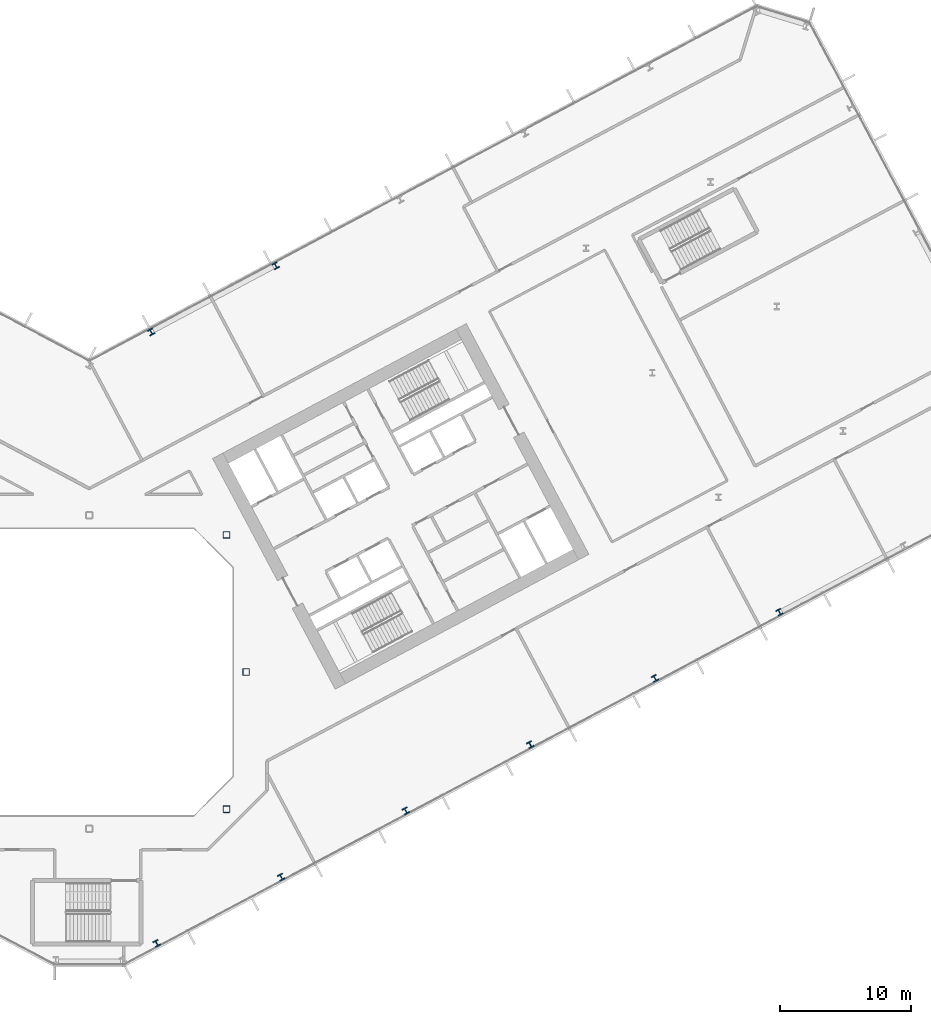
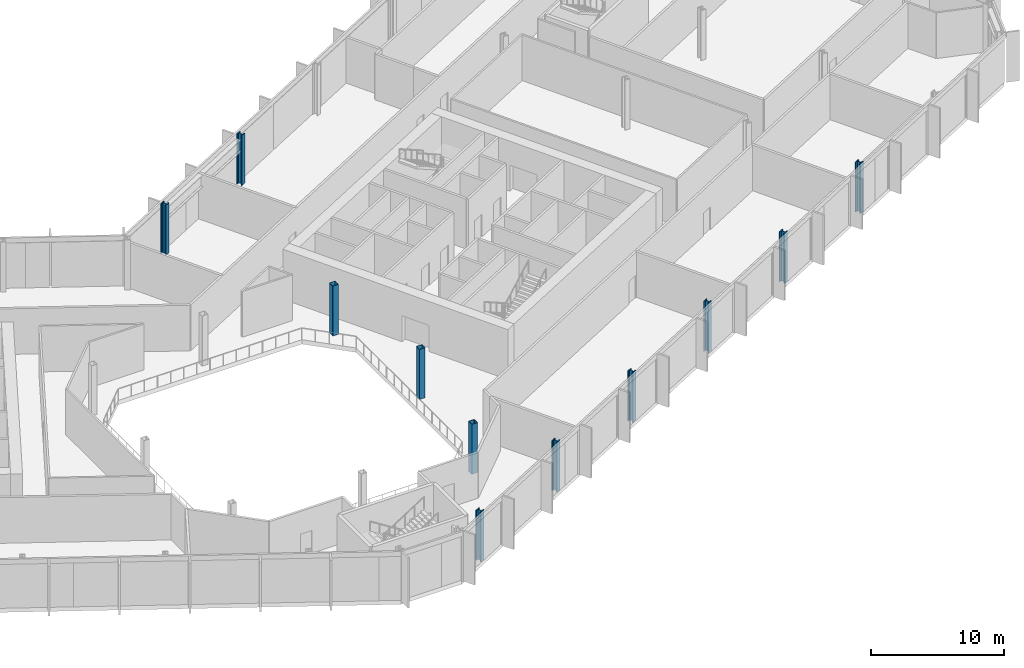
# One storey, part 3 of 32: 11 columns.
"""IFC4 building model written with IfcOpenShell, lengths in metres."""

from ifc_helpers import new_model, si_unit, direction, frame, origin, origin_2d, place, context, subcontext, project, spatial, hollow_rectangle, i_section, extrude, material, material_profile, profile_set, type_object, element, save


model = new_model("IFC4")

# Units and contexts
model_context = context("Model", 3, precision=1e-05, world=origin(), true_north=direction((0.0, 1.0)))
body_context = subcontext(model_context, "Body", "Model", "MODEL_VIEW")
ifc_project = project(units=[si_unit("LENGTHUNIT", "METRE"), si_unit("AREAUNIT", "SQUARE_METRE"), si_unit("VOLUMEUNIT", "CUBIC_METRE"), si_unit("PLANEANGLEUNIT", "RADIAN"), si_unit("MASSUNIT", "GRAM", prefix="KILO")], contexts=[model_context])

# Site, building, storey
site_placement = place(None, origin())
site = spatial("IfcSite", under=ifc_project, at=site_placement, CompositionType="ELEMENT")
building_placement = place(site_placement, origin())
building = spatial("IfcBuilding", under=site, at=building_placement, Name="Cormorant Relay Tower", CompositionType="ELEMENT")
storey_placement = place(building_placement, frame((0.0, 0.0, 70.800048828125)))
storey = spatial("IfcBuildingStorey", under=building, at=storey_placement, Name="L13", CompositionType="ELEMENT", Elevation=70.800048828125)

# Columns
ifc_material_1 = material(Name="Steel ASTM A500 Grade C (Fy 345 MPa)", Category="steel")
ifc_material_profile_1 = material_profile(ifc_material_1, hollow_rectangle(XDim=0.508056640625, YDim=0.508056640625, WallThickness=0.020751953125, InnerFilletRadius=0.01025390625, OuterFilletRadius=0.031005859375, at=origin_2d()), Name="HSS508x508x21")
ifc_profile_set_1 = profile_set([ifc_material_profile_1], Name="Steel ASTM A500 Grade C (Fy 345 MPa)")
column_type_1 = type_object("IfcColumnType", Name="Column HSS508x508x21", PredefinedType="COLUMN", material=ifc_profile_set_1)
for number, where, z_axis, x_axis, name in (
    (1, (10.5, -10.5, 0.0), (0.0, 0.0, 1.0), (1.0, 0.0, 0.0), "Column L13-010"),
    (2, (12.0, 0.0, 0.0), (0.0, 0.0, 1.0), (1.0, 0.0, 0.0), "Column L13-016"),
    (3, (10.5, 10.5, 0.0), (0.0, 0.0, 1.0), (1.0, 0.0, 0.0), "Column L13-023"),
):
    element("IfcColumn", number, at=place(storey_placement, frame(where, z_axis=z_axis, x_axis=x_axis)), inside=storey, type_object=column_type_1, Name=name, PredefinedType="COLUMN", context=body_context, shape_type="SweptSolid", body=[
        extrude(hollow_rectangle(XDim=0.508056640625, YDim=0.508056640625, WallThickness=0.020751953125, InnerFilletRadius=0.01025390625, OuterFilletRadius=0.031005859375, at=origin_2d()), origin(), (0.0, 0.0, 1.0), 4.599853515625),
    ])
ifc_material_2 = material(Name="Steel ASTM A992 (Fy 345 MPa)", Category="steel")
ifc_material_profile_2 = material_profile(ifc_material_2, i_section(OverallWidth=0.42431640625, OverallDepth=0.47509765625, WebThickness=0.0478515625, FlangeThickness=0.0771484375, FilletRadius=0.014892578125, at=origin_2d()), Name="W360x634")
ifc_profile_set_2 = profile_set([ifc_material_profile_2], Name="Steel ASTM A992 (Fy 345 MPa)")
column_type_2 = type_object("IfcColumnType", Name="Column W360x634", PredefinedType="COLUMN", material=ifc_profile_set_2)
for number, where, z_axis, x_axis, name in (
    (4, (5.155029296875, -20.77099609375, 0.0), (0.0, 0.0, 1.0), (0.882947592859, 0.469471562786, 0.0), "Column L13-003"),
    (5, (14.69091796875, -15.700927734375, 0.0), (0.0, 0.0, 1.0), (0.882947592859, 0.469471562786, 0.0), "Column L13-005"),
    (6, (24.22705078125, -10.631103515625, 0.0), (0.0, 0.0, 1.0), (0.882947592859, 0.469471562786, 0.0), "Column L13-008"),
    (7, (33.761962890625, -5.56005859375, 0.0), (0.0, 0.0, 1.0), (0.882947592859, 0.469471562786, 0.0), "Column L13-012"),
    (8, (43.298095703125, -0.489990234375, 0.0), (0.0, 0.0, 1.0), (0.882947592859, 0.469471562786, 0.0), "Column L13-014"),
    (9, (52.833984375, 4.580078125, 0.0), (0.0, 0.0, 1.0), (0.882947592859, 0.469471562786, 0.0), "Column L13-019"),
    (10, (4.73388671875, 26.029052734375, 0.0), (0.0, 0.0, 1.0), (-0.882947592859, -0.469471562786, 0.0), "Column L13-035"),
    (11, (14.27001953125, 31.10009765625, 0.0), (0.0, 0.0, 1.0), (-0.882947592859, -0.469471562786, 0.0), "Column L13-039"),
):
    element("IfcColumn", number, at=place(storey_placement, frame(where, z_axis=z_axis, x_axis=x_axis)), inside=storey, type_object=column_type_2, Name=name, PredefinedType="COLUMN", context=body_context, shape_type="SweptSolid", body=[
        extrude(i_section(OverallWidth=0.42431640625, OverallDepth=0.47509765625, WebThickness=0.0478515625, FlangeThickness=0.0771484375, FilletRadius=0.014892578125, at=origin_2d()), origin(), (0.0, 0.0, 1.0), 4.599853515625),
    ])

save(model, "model.ifc")
